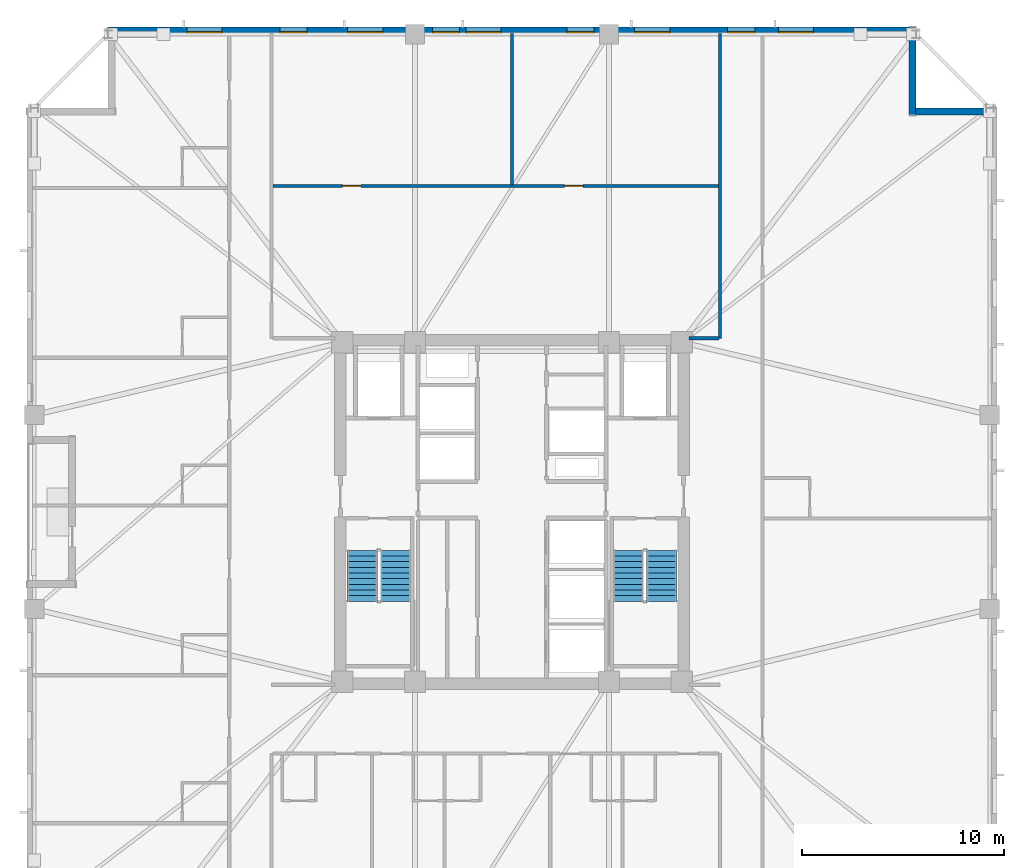
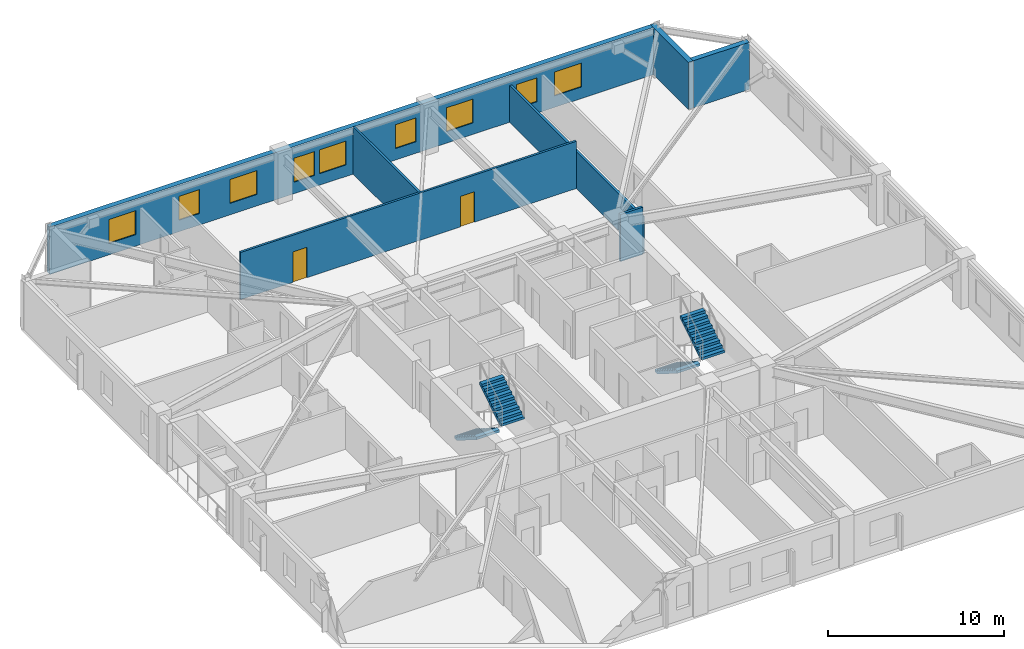
# One storey, part 6 of 11: 9 windows, 7 walls, 4 stair flights, 2 doors, 11 openings, 2 elements without a shape of their own.
"""IFC4 building model written with IfcOpenShell, lengths in metres."""

from ifc_helpers import new_model, si_unit, direction, frame, frame_2d, origin, place, context, subcontext, project, spatial, polyline, rectangle, outline, extrude, material, layer, layer_set, type_object, element, fill, aggregate, save


model = new_model("IFC4")

# Units and contexts
model_context = context("Model", 3, precision=1e-05, world=origin(), true_north=direction((0.0, 1.0)))
body_context = subcontext(model_context, "Body", "Model", "MODEL_VIEW")
ifc_project = project(units=[si_unit("LENGTHUNIT", "METRE"), si_unit("AREAUNIT", "SQUARE_METRE"), si_unit("VOLUMEUNIT", "CUBIC_METRE"), si_unit("PLANEANGLEUNIT", "RADIAN"), si_unit("MASSUNIT", "GRAM", prefix="KILO")], contexts=[model_context])

# Site, building, storey
site_placement = place(None, origin())
site = spatial("IfcSite", under=ifc_project, at=site_placement, CompositionType="ELEMENT")
building_placement = place(site_placement, origin())
building = spatial("IfcBuilding", under=site, at=building_placement, Name="Cairnveth Concourse Tower", CompositionType="ELEMENT")
storey_placement = place(building_placement, frame((0.0, 0.0, 123.5)))
storey = spatial("IfcBuildingStorey", under=building, at=storey_placement, Name="L33", CompositionType="ELEMENT", Elevation=123.5)

# Walls
ifc_material_1 = material(Name="Gypsum Plasterboard Partition", Category="gypsum")
ifc_layer_1 = layer(ifc_material_1, 0.159912109375)
ifc_layer_set_1 = layer_set([ifc_layer_1], Name="Gypsum Plasterboard Partition")
wall_type_1 = type_object("IfcWallType", Name="ACOUSTIC PARTY WALL 180", PredefinedType="PARTITIONING", material=ifc_layer_set_1)
wall_1_placement = place(storey_placement, frame((62.300048828125, 47.60009765625, 0.0), z_axis=(0.0, 0.0, 1.0), x_axis=(0.0, 1.0, 0.0)))
element("IfcWall", 1, at=wall_1_placement, inside=storey, type_object=wall_type_1, Name="Interior Wall IW-L33-044", PredefinedType="PARTITIONING", context=body_context, shape_type="SweptSolid", body=[
    extrude(rectangle(XDim=15.074951171875, YDim=0.159912109375, at=frame_2d((7.53759765625, 0.0))), origin(), (0.0, 0.0, 1.0), 2.554931640625),
])
wall_2_placement = place(storey_placement, frame((60.764892578125, 47.60009765625, 0.0), z_axis=(0.0, 0.0, 1.0), x_axis=(1.0, 0.0, 0.0)))
element("IfcWall", 2, at=wall_2_placement, inside=storey, type_object=wall_type_1, Name="Interior Wall IW-L33-046", PredefinedType="PARTITIONING", context=body_context, shape_type="SweptSolid", body=[
    extrude(rectangle(XDim=1.47021484375, YDim=0.159912109375, at=frame_2d((0.735107421875, 0.0))), origin(), (0.0, 0.0, 1.0), 3.280029296875),
])

# Wall, openings, doors
ifc_layer_2 = layer(ifc_material_1, 0.139892578125)
ifc_layer_set_2 = layer_set([ifc_layer_2], Name="Gypsum Plasterboard Partition")
wall_type_2 = type_object("IfcWallType", Name="GYPSUM STUD PARTITION 140", PredefinedType="PARTITIONING", material=ifc_layer_set_2)
wall_3_placement = place(storey_placement, frame((40.1650390625, 55.139892578125, 0.0), z_axis=(0.0, 0.0, 1.0), x_axis=(1.0, 0.0, 0.0)))
wall_3 = element("IfcWall", 3, at=wall_3_placement, inside=storey, type_object=wall_type_2, Name="Interior Wall IW-L33-048", PredefinedType="PARTITIONING", context=body_context, shape_type="SweptSolid", body=[
    extrude(rectangle(XDim=22.070068359375, YDim=0.139892578125, at=frame_2d((11.03515625, 0.0))), origin(), (0.0, 0.0, 1.0), 3.280029296875),
])
opening_1_placement = place(wall_3_placement, frame((3.43505859375, 0.0, 0.0)))
opening_1 = element("IfcOpeningElement", 4, at=opening_1_placement, cuts=wall_3, Name="Opening ID15", PredefinedType="OPENING", context=body_context, shape_type="SweptSolid", body=[
    extrude(rectangle(XDim=0.919921875, YDim=2.1201171875, at=frame_2d((0.4599609375, 1.06005859375))), frame((0.0, 0.079833984375, 0.0), z_axis=(0.0, -1.0, 0.0), x_axis=(1.0, 0.0, 0.0)), (0.0, 0.0, 1.0), 0.159912109375),
])
opening_2_placement = place(wall_3_placement, frame((14.43505859375, 0.0, 0.0)))
opening_2 = element("IfcOpeningElement", 5, at=opening_2_placement, cuts=wall_3, Name="Opening ID15", PredefinedType="OPENING", context=body_context, shape_type="SweptSolid", body=[
    extrude(rectangle(XDim=0.919921875, YDim=2.1201171875, at=frame_2d((0.4599609375, 1.06005859375))), frame((0.0, 0.079833984375, 0.0), z_axis=(0.0, -1.0, 0.0), x_axis=(1.0, 0.0, 0.0)), (0.0, 0.0, 1.0), 0.159912109375),
])
ifc_material_2 = material(Name="Solid Core Hardwood Timber Leaf", Category="wood")
door_type = type_object("IfcDoorType", Name="INTERIOR SINGLE DOOR 920X2100", OperationType="NOTDEFINED", PredefinedType="DOOR", material=ifc_material_2)
door_1_placement = place(opening_1_placement, origin())
door_1 = element("IfcDoor", 6, at=door_1_placement, inside=storey, type_object=door_type, Name="Interior Door DR-L33-017", OperationType="SINGLE_SWING_LEFT", OverallHeight=2.1201171875, OverallWidth=0.919921875, PredefinedType="DOOR", context=body_context, shape_type="SweptSolid", body=[
    extrude(rectangle(XDim=0.919921875, YDim=2.1201171875, at=frame_2d((0.4599609375, 1.06005859375))), frame((0.0, 0.02490234375, 0.0), z_axis=(0.0, -1.0, 0.0), x_axis=(1.0, 0.0, 0.0)), (0.0, 0.0, 1.0), 0.050048828125),
])
fill(opening_1, door_1)
door_2_placement = place(opening_2_placement, origin())
door_2 = element("IfcDoor", 7, at=door_2_placement, inside=storey, type_object=door_type, Name="Interior Door DR-L33-018", OperationType="SINGLE_SWING_RIGHT", OverallHeight=2.1201171875, OverallWidth=0.919921875, PredefinedType="DOOR", context=body_context, shape_type="SweptSolid", body=[
    extrude(rectangle(XDim=0.919921875, YDim=2.1201171875, at=frame_2d((0.4599609375, 1.06005859375))), frame((0.0, 0.02490234375, 0.0), z_axis=(0.0, -1.0, 0.0), x_axis=(1.0, 0.0, 0.0)), (0.0, 0.0, 1.0), 0.050048828125),
])
fill(opening_2, door_2)

# Wall
wall_4_placement = place(storey_placement, frame((52.0, 55.195068359375, 0.0), z_axis=(0.0, 0.0, 1.0), x_axis=(0.0, 1.0, 0.0)))
element("IfcWall", 8, at=wall_4_placement, inside=storey, type_object=wall_type_2, Name="Interior Wall IW-L33-049", PredefinedType="PARTITIONING", context=body_context, shape_type="SweptSolid", body=[
    extrude(rectangle(XDim=7.47998046875, YDim=0.139892578125, at=frame_2d((3.739990234375, 0.0))), origin(), (0.0, 0.0, 1.0), 3.280029296875),
])

# Wall, openings, windows
ifc_material_3 = material(Name="Hawthorn Red-Ochre Fired Clay Brick Masonry", Category="masonry")
ifc_layer_3 = layer(ifc_material_3, 0.340087890625)
ifc_layer_set_3 = layer_set([ifc_layer_3], Name="Hawthorn Red-Ochre Fired Clay Brick Masonry")
wall_type_3 = type_object("IfcWallType", Name="ZONE 2 BRICK PIER SPANDREL WALL 340", PredefinedType="SOLIDWALL", material=ifc_layer_set_3)
wall_5_placement = place(storey_placement, frame((32.0, 62.830078125, 0.0), z_axis=(0.0, 0.0, 1.0), x_axis=(1.0, 0.0, 0.0)))
wall_5 = element("IfcWall", 9, at=wall_5_placement, inside=storey, type_object=wall_type_3, Name="Exterior Wall EW-L33-S03", PredefinedType="SOLIDWALL", context=body_context, shape_type="SweptSolid", body=[
    extrude(rectangle(XDim=39.681884765625, YDim=0.340087890625, at=frame_2d((19.8408203125, 0.0))), origin(), (0.0, 0.0, 1.0), 3.280029296875),
])
opening_3_placement = place(wall_5_placement, frame((3.90185546875, 0.0, 0.800048828125)))
opening_3 = element("IfcOpeningElement", 10, at=opening_3_placement, cuts=wall_5, Name="Opening W06", PredefinedType="OPENING", context=body_context, shape_type="SweptSolid", body=[
    extrude(rectangle(XDim=1.75, YDim=1.659912109375, at=frame_2d((0.875, 0.830078125))), frame((0.0, 0.179931640625, 0.0), z_axis=(0.0, -1.0, 0.0), x_axis=(1.0, 0.0, 0.0)), (0.0, 0.0, 1.0), 0.360107421875),
])
opening_4_placement = place(wall_5_placement, frame((8.50537109375, 0.0, 0.800048828125)))
opening_4 = element("IfcOpeningElement", 11, at=opening_4_placement, cuts=wall_5, Name="Opening W02", PredefinedType="OPENING", context=body_context, shape_type="SweptSolid", body=[
    extrude(rectangle(XDim=1.35009765625, YDim=1.659912109375, at=frame_2d((0.675048828125, 0.830078125))), frame((0.0, 0.179931640625, 0.0), z_axis=(0.0, -1.0, 0.0), x_axis=(1.0, 0.0, 0.0)), (0.0, 0.0, 1.0), 0.360107421875),
])
opening_5_placement = place(wall_5_placement, frame((11.85888671875, 0.0, 0.800048828125)))
opening_5 = element("IfcOpeningElement", 12, at=opening_5_placement, cuts=wall_5, Name="Opening W06", PredefinedType="OPENING", context=body_context, shape_type="SweptSolid", body=[
    extrude(rectangle(XDim=1.75, YDim=1.659912109375, at=frame_2d((0.875, 0.830078125))), frame((0.0, 0.179931640625, 0.0), z_axis=(0.0, -1.0, 0.0), x_axis=(1.0, 0.0, 0.0)), (0.0, 0.0, 1.0), 0.360107421875),
])
opening_6_placement = place(wall_5_placement, frame((16.0625, 0.0, 0.800048828125)))
opening_6 = element("IfcOpeningElement", 13, at=opening_6_placement, cuts=wall_5, Name="Opening W02", PredefinedType="OPENING", context=body_context, shape_type="SweptSolid", body=[
    extrude(rectangle(XDim=1.35009765625, YDim=1.659912109375, at=frame_2d((0.675048828125, 0.830078125))), frame((0.0, 0.179931640625, 0.0), z_axis=(0.0, -1.0, 0.0), x_axis=(1.0, 0.0, 0.0)), (0.0, 0.0, 1.0), 0.360107421875),
])
opening_7_placement = place(wall_5_placement, frame((17.716064453125, 0.0, 0.800048828125)))
opening_7 = element("IfcOpeningElement", 14, at=opening_7_placement, cuts=wall_5, Name="Opening W06", PredefinedType="OPENING", context=body_context, shape_type="SweptSolid", body=[
    extrude(rectangle(XDim=1.75, YDim=1.659912109375, at=frame_2d((0.875, 0.830078125))), frame((0.0, 0.179931640625, 0.0), z_axis=(0.0, -1.0, 0.0), x_axis=(1.0, 0.0, 0.0)), (0.0, 0.0, 1.0), 0.360107421875),
])
opening_8_placement = place(wall_5_placement, frame((22.719482421875, 0.0, 0.800048828125)))
opening_8 = element("IfcOpeningElement", 15, at=opening_8_placement, cuts=wall_5, Name="Opening W02", PredefinedType="OPENING", context=body_context, shape_type="SweptSolid", body=[
    extrude(rectangle(XDim=1.35009765625, YDim=1.659912109375, at=frame_2d((0.675048828125, 0.830078125))), frame((0.0, 0.179931640625, 0.0), z_axis=(0.0, -1.0, 0.0), x_axis=(1.0, 0.0, 0.0)), (0.0, 0.0, 1.0), 0.360107421875),
])
opening_9_placement = place(wall_5_placement, frame((26.072998046875, 0.0, 0.800048828125)))
opening_9 = element("IfcOpeningElement", 16, at=opening_9_placement, cuts=wall_5, Name="Opening W06", PredefinedType="OPENING", context=body_context, shape_type="SweptSolid", body=[
    extrude(rectangle(XDim=1.75, YDim=1.659912109375, at=frame_2d((0.875, 0.830078125))), frame((0.0, 0.179931640625, 0.0), z_axis=(0.0, -1.0, 0.0), x_axis=(1.0, 0.0, 0.0)), (0.0, 0.0, 1.0), 0.360107421875),
])
opening_10_placement = place(wall_5_placement, frame((30.6767578125, 0.0, 0.800048828125)))
opening_10 = element("IfcOpeningElement", 17, at=opening_10_placement, cuts=wall_5, Name="Opening W02", PredefinedType="OPENING", context=body_context, shape_type="SweptSolid", body=[
    extrude(rectangle(XDim=1.35009765625, YDim=1.659912109375, at=frame_2d((0.675048828125, 0.830078125))), frame((0.0, 0.179931640625, 0.0), z_axis=(0.0, -1.0, 0.0), x_axis=(1.0, 0.0, 0.0)), (0.0, 0.0, 1.0), 0.360107421875),
])
opening_11_placement = place(wall_5_placement, frame((33.18017578125, 0.0, 0.800048828125)))
opening_11 = element("IfcOpeningElement", 18, at=opening_11_placement, cuts=wall_5, Name="Opening W06", PredefinedType="OPENING", context=body_context, shape_type="SweptSolid", body=[
    extrude(rectangle(XDim=1.75, YDim=1.659912109375, at=frame_2d((0.875, 0.830078125))), frame((0.0, 0.179931640625, 0.0), z_axis=(0.0, -1.0, 0.0), x_axis=(1.0, 0.0, 0.0)), (0.0, 0.0, 1.0), 0.360107421875),
])
ifc_material_4 = material(Name="Double Glazed Low-E Clear Glass", Category="glass")
window_type_1 = type_object("IfcWindowType", Name="DEEP-SET GOTHIC LANCET WINDOW 1350X1800", PartitioningType="DOUBLE_PANEL_VERTICAL", PredefinedType="WINDOW", material=ifc_material_4)
window_1_placement = place(opening_4_placement, origin())
window_1 = element("IfcWindow", 19, at=window_1_placement, inside=storey, type_object=window_type_1, Name="Gothic Lancet Window L33-3-2", OverallHeight=1.659912109375, OverallWidth=1.35009765625, PartitioningType="SINGLE_PANEL", PredefinedType="WINDOW", context=body_context, shape_type="SweptSolid", body=[
    extrude(rectangle(XDim=1.35009765625, YDim=1.659912109375, at=frame_2d((0.675048828125, 0.830078125))), frame((0.0, -0.050048828125, 0.0), z_axis=(0.0, -1.0, 0.0), x_axis=(1.0, 0.0, 0.0)), (0.0, 0.0, 1.0), 0.06005859375),
])
fill(opening_4, window_1)
window_2_placement = place(opening_6_placement, origin())
window_2 = element("IfcWindow", 20, at=window_2_placement, inside=storey, type_object=window_type_1, Name="Gothic Lancet Window L33-3-4", OverallHeight=1.659912109375, OverallWidth=1.35009765625, PartitioningType="SINGLE_PANEL", PredefinedType="WINDOW", context=body_context, shape_type="SweptSolid", body=[
    extrude(rectangle(XDim=1.35009765625, YDim=1.659912109375, at=frame_2d((0.675048828125, 0.830078125))), frame((0.0, -0.050048828125, 0.0), z_axis=(0.0, -1.0, 0.0), x_axis=(1.0, 0.0, 0.0)), (0.0, 0.0, 1.0), 0.06005859375),
])
fill(opening_6, window_2)
window_3_placement = place(opening_8_placement, origin())
window_3 = element("IfcWindow", 21, at=window_3_placement, inside=storey, type_object=window_type_1, Name="Gothic Lancet Window L33-3-6", OverallHeight=1.659912109375, OverallWidth=1.35009765625, PartitioningType="SINGLE_PANEL", PredefinedType="WINDOW", context=body_context, shape_type="SweptSolid", body=[
    extrude(rectangle(XDim=1.35009765625, YDim=1.659912109375, at=frame_2d((0.675048828125, 0.830078125))), frame((0.0, -0.050048828125, 0.0), z_axis=(0.0, -1.0, 0.0), x_axis=(1.0, 0.0, 0.0)), (0.0, 0.0, 1.0), 0.06005859375),
])
fill(opening_8, window_3)
window_4_placement = place(opening_10_placement, origin())
window_4 = element("IfcWindow", 22, at=window_4_placement, inside=storey, type_object=window_type_1, Name="Gothic Lancet Window L33-3-8", OverallHeight=1.659912109375, OverallWidth=1.35009765625, PartitioningType="SINGLE_PANEL", PredefinedType="WINDOW", context=body_context, shape_type="SweptSolid", body=[
    extrude(rectangle(XDim=1.35009765625, YDim=1.659912109375, at=frame_2d((0.675048828125, 0.830078125))), frame((0.0, -0.050048828125, 0.0), z_axis=(0.0, -1.0, 0.0), x_axis=(1.0, 0.0, 0.0)), (0.0, 0.0, 1.0), 0.06005859375),
])
fill(opening_10, window_4)
window_type_2 = type_object("IfcWindowType", Name="DEEP-SET HOTEL SUITE WINDOW 1750X1800", PartitioningType="DOUBLE_PANEL_VERTICAL", PredefinedType="WINDOW", material=ifc_material_4)
window_5_placement = place(opening_3_placement, origin())
window_5 = element("IfcWindow", 23, at=window_5_placement, inside=storey, type_object=window_type_2, Name="Gothic Lancet Window L33-3-1", OverallHeight=1.659912109375, OverallWidth=1.75, PartitioningType="SINGLE_PANEL", PredefinedType="WINDOW", context=body_context, shape_type="SweptSolid", body=[
    extrude(rectangle(XDim=1.75, YDim=1.659912109375, at=frame_2d((0.875, 0.830078125))), frame((0.0, -0.050048828125, 0.0), z_axis=(0.0, -1.0, 0.0), x_axis=(1.0, 0.0, 0.0)), (0.0, 0.0, 1.0), 0.06005859375),
])
fill(opening_3, window_5)
window_6_placement = place(opening_5_placement, origin())
window_6 = element("IfcWindow", 24, at=window_6_placement, inside=storey, type_object=window_type_2, Name="Gothic Lancet Window L33-3-3", OverallHeight=1.659912109375, OverallWidth=1.75, PartitioningType="SINGLE_PANEL", PredefinedType="WINDOW", context=body_context, shape_type="SweptSolid", body=[
    extrude(rectangle(XDim=1.75, YDim=1.659912109375, at=frame_2d((0.875, 0.830078125))), frame((0.0, -0.050048828125, 0.0), z_axis=(0.0, -1.0, 0.0), x_axis=(1.0, 0.0, 0.0)), (0.0, 0.0, 1.0), 0.06005859375),
])
fill(opening_5, window_6)
window_7_placement = place(opening_7_placement, origin())
window_7 = element("IfcWindow", 25, at=window_7_placement, inside=storey, type_object=window_type_2, Name="Gothic Lancet Window L33-3-5", OverallHeight=1.659912109375, OverallWidth=1.75, PartitioningType="SINGLE_PANEL", PredefinedType="WINDOW", context=body_context, shape_type="SweptSolid", body=[
    extrude(rectangle(XDim=1.75, YDim=1.659912109375, at=frame_2d((0.875, 0.830078125))), frame((0.0, -0.050048828125, 0.0), z_axis=(0.0, -1.0, 0.0), x_axis=(1.0, 0.0, 0.0)), (0.0, 0.0, 1.0), 0.06005859375),
])
fill(opening_7, window_7)
window_8_placement = place(opening_9_placement, origin())
window_8 = element("IfcWindow", 26, at=window_8_placement, inside=storey, type_object=window_type_2, Name="Gothic Lancet Window L33-3-7", OverallHeight=1.659912109375, OverallWidth=1.75, PartitioningType="SINGLE_PANEL", PredefinedType="WINDOW", context=body_context, shape_type="SweptSolid", body=[
    extrude(rectangle(XDim=1.75, YDim=1.659912109375, at=frame_2d((0.875, 0.830078125))), frame((0.0, -0.050048828125, 0.0), z_axis=(0.0, -1.0, 0.0), x_axis=(1.0, 0.0, 0.0)), (0.0, 0.0, 1.0), 0.06005859375),
])
fill(opening_9, window_8)
window_9_placement = place(opening_11_placement, origin())
window_9 = element("IfcWindow", 27, at=window_9_placement, inside=storey, type_object=window_type_2, Name="Gothic Lancet Window L33-3-9", OverallHeight=1.659912109375, OverallWidth=1.75, PartitioningType="SINGLE_PANEL", PredefinedType="WINDOW", context=body_context, shape_type="SweptSolid", body=[
    extrude(rectangle(XDim=1.75, YDim=1.659912109375, at=frame_2d((0.875, 0.830078125))), frame((0.0, -0.050048828125, 0.0), z_axis=(0.0, -1.0, 0.0), x_axis=(1.0, 0.0, 0.0)), (0.0, 0.0, 1.0), 0.06005859375),
])
fill(opening_11, window_9)

# Walls
wall_6_placement = place(storey_placement, frame((71.830078125, 63.0, 0.0), z_axis=(0.0, 0.0, 1.0), x_axis=(0.0, -1.0, 0.0)))
element("IfcWall", 28, at=wall_6_placement, inside=storey, type_object=wall_type_3, Name="Exterior Wall EW-L33-S04", PredefinedType="SOLIDWALL", context=body_context, shape_type="SweptSolid", body=[
    extrude(rectangle(XDim=4.340087890625, YDim=0.340087890625, at=frame_2d((2.169921875, 0.0))), origin(), (0.0, 0.0, 1.0), 3.280029296875),
])
wall_7_placement = place(storey_placement, frame((71.97802734375, 58.830078125, 0.0), z_axis=(0.0, 0.0, 1.0), x_axis=(1.0, 0.0, 0.0)))
element("IfcWall", 29, at=wall_7_placement, inside=storey, type_object=wall_type_3, Name="Exterior Wall EW-L33-S05", PredefinedType="SOLIDWALL", context=body_context, shape_type="SweptSolid", body=[
    extrude(rectangle(XDim=3.703857421875, YDim=0.340087890625, at=frame_2d((1.85205078125, 0.0))), origin(), (0.0, 0.0, 1.0), 3.280029296875),
])

# Stair, stair flights
ifc_material_5 = material(Name="Precast concrete N50 (50 MPa)", Category="concrete")
stair_type = type_object("IfcStairType", Name="CORE DOG-LEG FIRE STAIR 1500", PredefinedType="HALF_TURN_STAIR", material=ifc_material_5)
stair_1_placement = place(storey_placement, origin())
stair_1 = element("IfcStair", 30, at=stair_1_placement, inside=storey, type_object=stair_type, Name="L33 Fire-Isolated Stair ST-1", PredefinedType="HALF_TURN_STAIR")
stair_flight_type = type_object("IfcStairFlightType", Name="PRECAST CONCRETE STAIR FLIGHT 1500", PredefinedType="STRAIGHT", material=ifc_material_5)
stair_flight_1_placement = place(storey_placement, frame((44.590087890625, 37.10009765625, 0.0), z_axis=(0.0, 0.0, 1.0), x_axis=(0.0, -1.0, 0.0)))
stair_flight_1 = element("IfcStairFlight", 31, at=stair_flight_1_placement, type_object=stair_flight_type, Name="ST-1 flight 1", NumberOfRisers=10, NumberOfTreads=9, PredefinedType="STRAIGHT", RiserHeight=0.175, TreadLength=0.28, context=body_context, shape_type="SweptSolid", body=[
    extrude(outline(polyline([(0.0, 0.0), (0.0, 0.175048828125), (0.280029296875, 0.175048828125), (0.280029296875, 0.35009765625), (0.56005859375, 0.35009765625), (0.56005859375, 0.52490234375), (0.840087890625, 0.52490234375), (0.840087890625, 0.699951171875), (1.1201171875, 0.699951171875), (1.1201171875, 0.875), (1.39990234375, 0.875), (1.39990234375, 1.050048828125), (1.679931640625, 1.050048828125), (1.679931640625, 1.22509765625), (1.9599609375, 1.22509765625), (1.9599609375, 1.39990234375), (2.239990234375, 1.39990234375), (2.239990234375, 1.574951171875), (2.52001953125, 1.574951171875), (2.52001953125, 1.75), (2.52001953125, 1.398193359375), (0.28271484375, 0.0), (0.0, 0.0)])), frame((0.0, 0.75, 0.0), z_axis=(0.0, -1.0, 0.0), x_axis=(1.0, 0.0, 0.0)), (0.0, 0.0, 1.0), 1.5),
])
stair_flight_2_placement = place(storey_placement, frame((46.22998046875, 34.580078125, 1.75), z_axis=(0.0, 0.0, 1.0), x_axis=(0.0, 1.0, 0.0)))
stair_flight_2 = element("IfcStairFlight", 32, at=stair_flight_2_placement, type_object=stair_flight_type, Name="ST-1 flight 2", NumberOfRisers=10, NumberOfTreads=9, PredefinedType="STRAIGHT", RiserHeight=0.175, TreadLength=0.28, context=body_context, shape_type="SweptSolid", body=[
    extrude(outline(polyline([(0.0, 0.0), (0.0, 0.175048828125), (0.280029296875, 0.175048828125), (0.280029296875, 0.35009765625), (0.56005859375, 0.35009765625), (0.56005859375, 0.52490234375), (0.840087890625, 0.52490234375), (0.840087890625, 0.699951171875), (1.1201171875, 0.699951171875), (1.1201171875, 0.875), (1.39990234375, 0.875), (1.39990234375, 1.050048828125), (1.679931640625, 1.050048828125), (1.679931640625, 1.22509765625), (1.9599609375, 1.22509765625), (1.9599609375, 1.39990234375), (2.239990234375, 1.39990234375), (2.239990234375, 1.574951171875), (2.52001953125, 1.574951171875), (2.52001953125, 1.75), (2.52001953125, 1.398193359375), (0.28271484375, 0.0), (0.0, 0.0)])), frame((0.0, 0.75, 0.0), z_axis=(0.0, -1.0, 0.0), x_axis=(1.0, 0.0, 0.0)), (0.0, 0.0, 1.0), 1.5),
])
aggregate(stair_1, [stair_flight_1, stair_flight_2])

stair_2_placement = place(storey_placement, origin())
stair_2 = element("IfcStair", 33, at=stair_2_placement, inside=storey, type_object=stair_type, Name="L33 Fire-Isolated Stair ST-2", PredefinedType="HALF_TURN_STAIR")
stair_flight_3_placement = place(storey_placement, frame((57.77001953125, 37.10009765625, 0.0), z_axis=(0.0, 0.0, 1.0), x_axis=(0.0, -1.0, 0.0)))
stair_flight_3 = element("IfcStairFlight", 34, at=stair_flight_3_placement, type_object=stair_flight_type, Name="ST-2 flight 1", NumberOfRisers=10, NumberOfTreads=9, PredefinedType="STRAIGHT", RiserHeight=0.175, TreadLength=0.28, context=body_context, shape_type="SweptSolid", body=[
    extrude(outline(polyline([(0.0, 0.0), (0.0, 0.175048828125), (0.280029296875, 0.175048828125), (0.280029296875, 0.35009765625), (0.56005859375, 0.35009765625), (0.56005859375, 0.52490234375), (0.840087890625, 0.52490234375), (0.840087890625, 0.699951171875), (1.1201171875, 0.699951171875), (1.1201171875, 0.875), (1.39990234375, 0.875), (1.39990234375, 1.050048828125), (1.679931640625, 1.050048828125), (1.679931640625, 1.22509765625), (1.9599609375, 1.22509765625), (1.9599609375, 1.39990234375), (2.239990234375, 1.39990234375), (2.239990234375, 1.574951171875), (2.52001953125, 1.574951171875), (2.52001953125, 1.75), (2.52001953125, 1.398193359375), (0.28271484375, 0.0), (0.0, 0.0)])), frame((0.0, 0.75, 0.0), z_axis=(0.0, -1.0, 0.0), x_axis=(1.0, 0.0, 0.0)), (0.0, 0.0, 1.0), 1.5),
])
stair_flight_4_placement = place(storey_placement, frame((59.409912109375, 34.580078125, 1.75), z_axis=(0.0, 0.0, 1.0), x_axis=(0.0, 1.0, 0.0)))
stair_flight_4 = element("IfcStairFlight", 35, at=stair_flight_4_placement, type_object=stair_flight_type, Name="ST-2 flight 2", NumberOfRisers=10, NumberOfTreads=9, PredefinedType="STRAIGHT", RiserHeight=0.175, TreadLength=0.28, context=body_context, shape_type="SweptSolid", body=[
    extrude(outline(polyline([(0.0, 0.0), (0.0, 0.175048828125), (0.280029296875, 0.175048828125), (0.280029296875, 0.35009765625), (0.56005859375, 0.35009765625), (0.56005859375, 0.52490234375), (0.840087890625, 0.52490234375), (0.840087890625, 0.699951171875), (1.1201171875, 0.699951171875), (1.1201171875, 0.875), (1.39990234375, 0.875), (1.39990234375, 1.050048828125), (1.679931640625, 1.050048828125), (1.679931640625, 1.22509765625), (1.9599609375, 1.22509765625), (1.9599609375, 1.39990234375), (2.239990234375, 1.39990234375), (2.239990234375, 1.574951171875), (2.52001953125, 1.574951171875), (2.52001953125, 1.75), (2.52001953125, 1.398193359375), (0.28271484375, 0.0), (0.0, 0.0)])), frame((0.0, 0.75, 0.0), z_axis=(0.0, -1.0, 0.0), x_axis=(1.0, 0.0, 0.0)), (0.0, 0.0, 1.0), 1.5),
])
aggregate(stair_2, [stair_flight_3, stair_flight_4])

save(model, "model.ifc")
